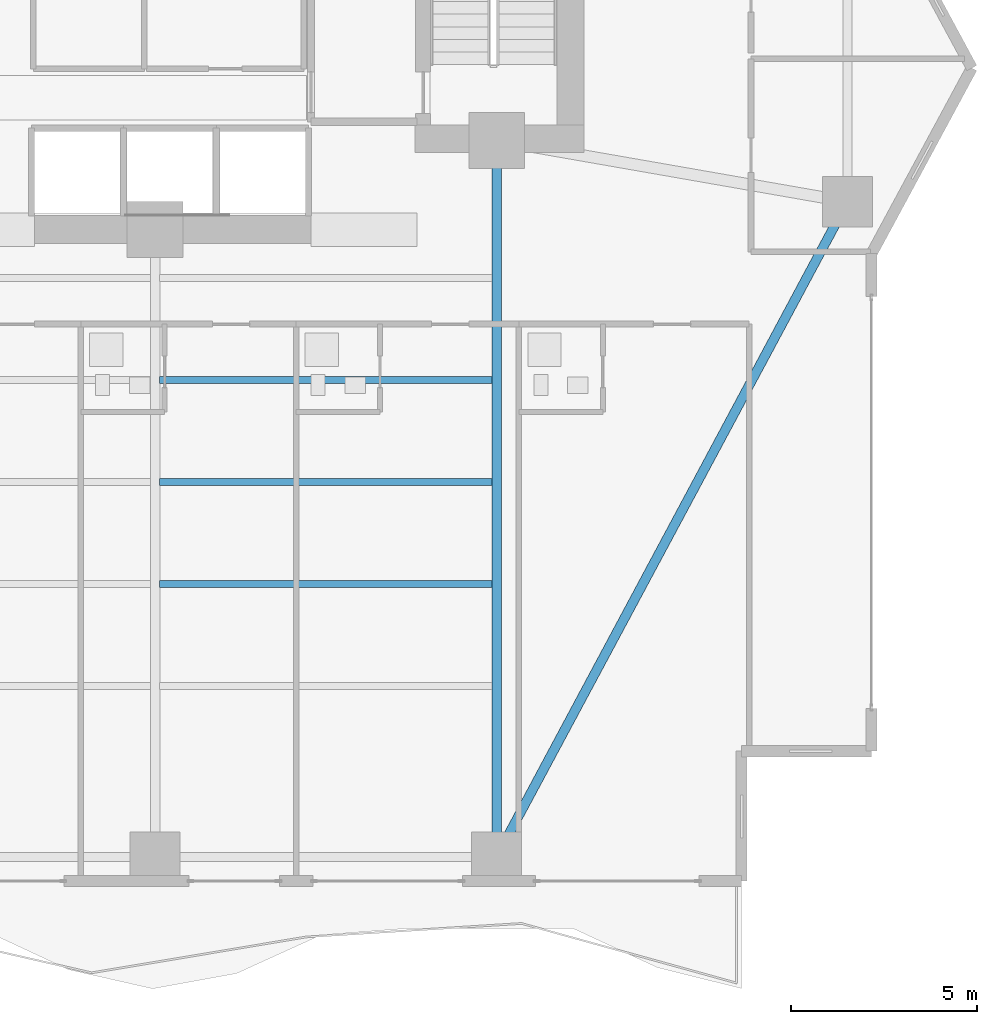
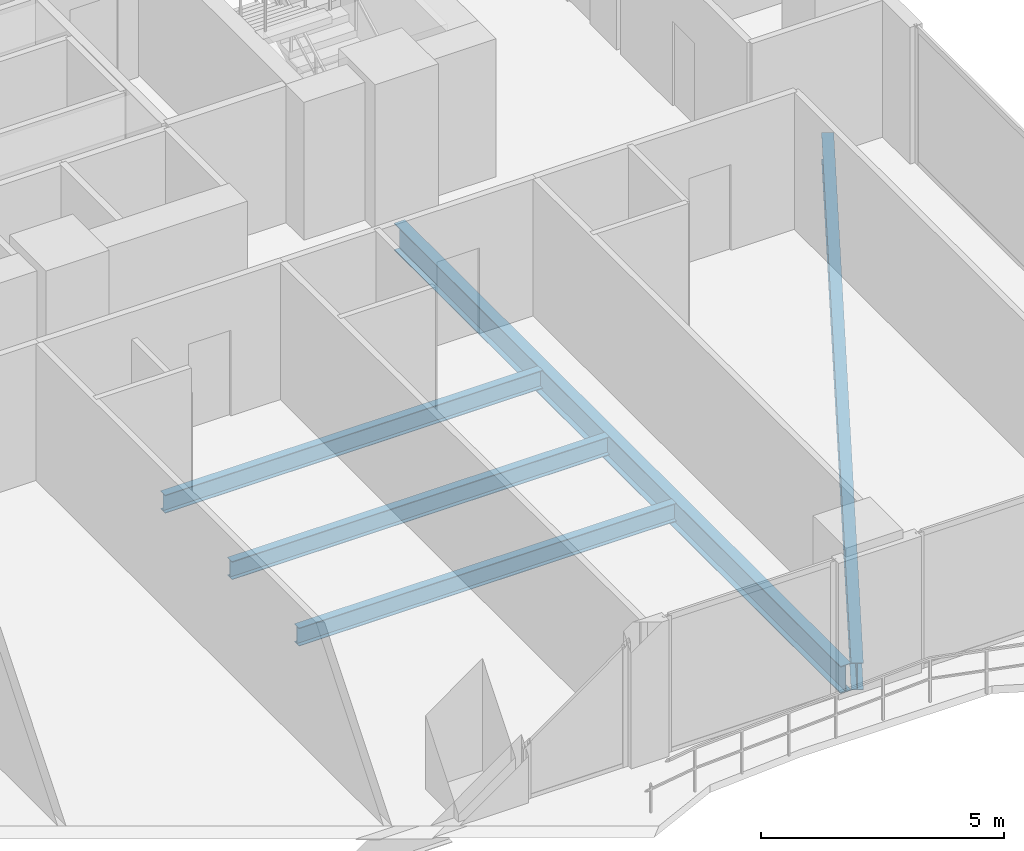
# One storey, part 10 of 29: 5 beams.
"""IFC4 building model written with IfcOpenShell, lengths in metres."""

from ifc_helpers import new_model, si_unit, direction, frame, origin, origin_2d, place, context, subcontext, project, spatial, i_section, extrude, material, material_profile, profile_set, type_object, element, save


model = new_model("IFC4")

# Units and contexts
model_context = context("Model", 3, precision=1e-05, world=origin(), true_north=direction((0.0, 1.0)))
body_context = subcontext(model_context, "Body", "Model", "MODEL_VIEW")
ifc_project = project(units=[si_unit("LENGTHUNIT", "METRE"), si_unit("AREAUNIT", "SQUARE_METRE"), si_unit("VOLUMEUNIT", "CUBIC_METRE"), si_unit("PLANEANGLEUNIT", "RADIAN"), si_unit("MASSUNIT", "GRAM", prefix="KILO")], contexts=[model_context])

# Site, building, storey
site_placement = place(None, origin())
site = spatial("IfcSite", under=ifc_project, at=site_placement, CompositionType="ELEMENT")
building_placement = place(site_placement, origin())
building = spatial("IfcBuilding", under=site, at=building_placement, Name="Zuhayl Quay Hotel", CompositionType="ELEMENT")
storey_placement = place(building_placement, frame((0.0, 0.0, 150.39990234375)))
storey = spatial("IfcBuildingStorey", under=building, at=storey_placement, Name="L38", CompositionType="ELEMENT", Elevation=150.39990234375)

# Beams
ifc_material = material(Name="Steel ASTM A992 Grade 50", Category="steel")
ifc_material_profile_1 = material_profile(ifc_material, i_section(OverallWidth=0.25390625, OverallDepth=0.68310546875, WebThickness=0.012451171875, FlangeThickness=0.018798828125, at=origin_2d()), Name="W27X94")
ifc_profile_set_1 = profile_set([ifc_material_profile_1], Name="Steel ASTM A992 Grade 50")
beam_type_1 = type_object("IfcBeamType", Name="BM_B2_W27X94", PredefinedType="BEAM", material=ifc_profile_set_1)
beam_1_placement = place(storey_placement, frame((14.035888671875, -14.30908203125, -0.5615234375), z_axis=(0.472017301959, 0.88158928456, 0.0), x_axis=(-0.88158928456, 0.472017301959, 0.0)))
element("IfcBeam", 1, at=beam_1_placement, inside=storey, type_object=beam_type_1, Name="L38 Floor Beam RG_L38_04", PredefinedType="BEAM", context=body_context, shape_type="SweptSolid", body=[
    extrude(i_section(OverallWidth=0.25390625, OverallDepth=0.68310546875, WebThickness=0.012451171875, FlangeThickness=0.018798828125, at=origin_2d()), origin(), (0.0, 0.0, 1.0), 19.0205078125),
])
beam_2_placement = place(storey_placement, frame((13.800048828125, -14.25, -0.5615234375), z_axis=(0.0, 1.0, 0.0), x_axis=(-1.0, 0.0, 0.0)))
element("IfcBeam", 2, at=beam_2_placement, inside=storey, type_object=beam_type_1, Name="L38 Floor Beam FG_S_L38_4", PredefinedType="BEAM", context=body_context, shape_type="SweptSolid", body=[
    extrude(i_section(OverallWidth=0.25390625, OverallDepth=0.68310546875, WebThickness=0.012451171875, FlangeThickness=0.018798828125, at=origin_2d()), origin(), (0.0, 0.0, 1.0), 18.35009765625),
])
ifc_material_profile_2 = material_profile(ifc_material, i_section(OverallWidth=0.18994140625, OverallDepth=0.45703125, WebThickness=0.009033203125, FlangeThickness=0.014404296875, at=origin_2d()), Name="W18X50")
ifc_profile_set_2 = profile_set([ifc_material_profile_2], Name="Steel ASTM A992 Grade 50")
beam_type_2 = type_object("IfcBeamType", Name="BM_J2_W18X50", PredefinedType="JOIST", material=ifc_profile_set_2)
for number, where, z_axis, x_axis, name in (
    (3, (4.718994140625, -7.39990234375, -0.448486328125), (1.0, 0.0, 0.0), (0.0, 1.0, 0.0), "L38 Floor Beam FJ_L38_6_3"),
    (4, (4.718994140625, -4.64990234375, -0.448486328125), (1.0, 0.0, 0.0), (0.0, 1.0, 0.0), "L38 Floor Beam FJ_L38_7_3"),
    (5, (4.718994140625, -1.89990234375, -0.448486328125), (1.0, 0.0, 0.0), (0.0, 1.0, 0.0), "L38 Floor Beam FJ_L38_8_3"),
):
    element("IfcBeam", number, at=place(storey_placement, frame(where, z_axis=z_axis, x_axis=x_axis)), inside=storey, type_object=beam_type_2, Name=name, PredefinedType="JOIST", context=body_context, shape_type="SweptSolid", body=[
        extrude(i_section(OverallWidth=0.18994140625, OverallDepth=0.45703125, WebThickness=0.009033203125, FlangeThickness=0.014404296875, at=origin_2d()), origin(), (0.0, 0.0, 1.0), 8.9619140625),
    ])

save(model, "model.ifc")
